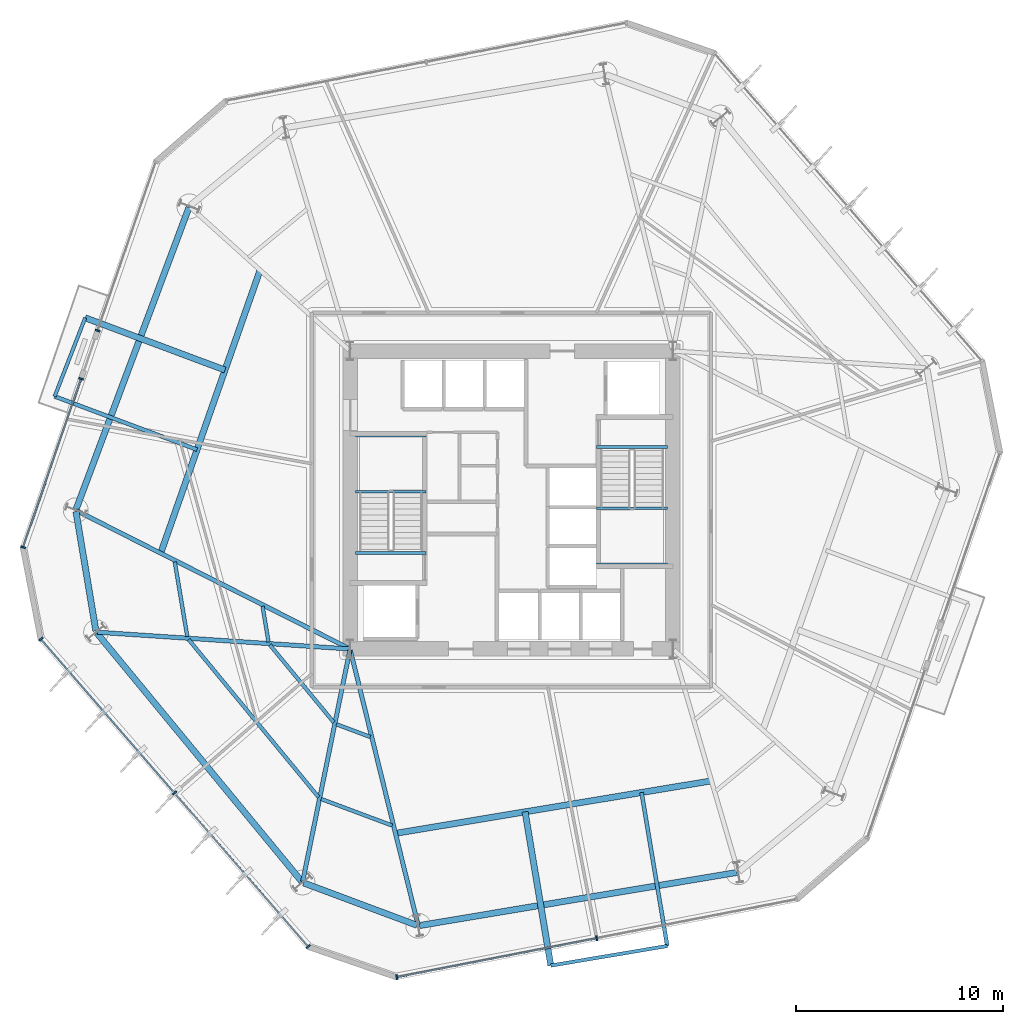
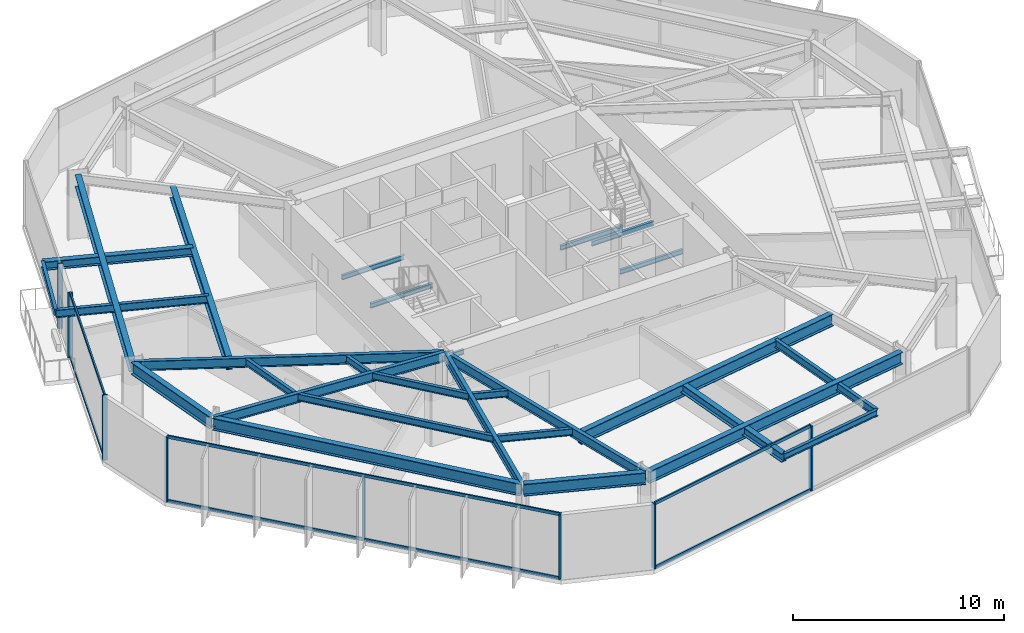
# One storey, part 2 of 10: 29 beams, 16 members, 4 elements without a shape of their own.
"""IFC4 building model written with IfcOpenShell, lengths in metres."""

from ifc_helpers import new_model, si_unit, direction, frame, origin, origin_2d, place, context, subcontext, project, spatial, rectangle, i_section, extrude, material, layer, layer_set, material_profile, profile_set, type_object, element, aggregate, save


model = new_model("IFC4")

# Units and contexts
model_context = context("Model", 3, precision=1e-05, world=origin(), true_north=direction((0.0, 1.0)))
body_context = subcontext(model_context, "Body", "Model", "MODEL_VIEW")
ifc_project = project(units=[si_unit("LENGTHUNIT", "METRE"), si_unit("AREAUNIT", "SQUARE_METRE"), si_unit("VOLUMEUNIT", "CUBIC_METRE"), si_unit("PLANEANGLEUNIT", "RADIAN"), si_unit("MASSUNIT", "GRAM", prefix="KILO")], contexts=[model_context])

# Site, building, storey
site_placement = place(None, origin())
site = spatial("IfcSite", under=ifc_project, at=site_placement, CompositionType="ELEMENT")
building_placement = place(site_placement, origin())
building = spatial("IfcBuilding", under=site, at=building_placement, Name="Kranzbogen Civic Tower", CompositionType="ELEMENT")
storey_placement = place(building_placement, frame((0.0, 0.0, 64.0)))
storey = spatial("IfcBuildingStorey", under=building, at=storey_placement, Name="L15", CompositionType="ELEMENT", Elevation=64.0)

# Beams
ifc_material_1 = material(Name="Steel S355", Category="steel")
ifc_material_profile_1 = material_profile(ifc_material_1, i_section(OverallWidth=0.18994140625, OverallDepth=0.449951171875, WebThickness=0.009521484375, FlangeThickness=0.0146484375, at=origin_2d()), Name="IPE 450")
ifc_profile_set_1 = profile_set([ifc_material_profile_1], Name="Steel S355")
beam_type_1 = type_object("IfcBeamType", Name="Braced Terrace Edge Beam IPE 450", PredefinedType="BEAM", material=ifc_profile_set_1)
beam_1_placement = place(storey_placement, frame((9.804931640625, 27.43310546875, 3.52490234375), z_axis=(-0.936711058775, 0.350103402396, 0.0), x_axis=(-0.350103402396, -0.936711058775, 0.0)))
element("IfcBeam", 1, at=beam_1_placement, inside=storey, type_object=beam_type_1, Name="L16 back-spanned terrace beam L16-TB1-2", PredefinedType="BEAM", context=body_context, shape_type="SweptSolid", body=[
    extrude(i_section(OverallWidth=0.18994140625, OverallDepth=0.449951171875, WebThickness=0.009521484375, FlangeThickness=0.0146484375, at=origin_2d()), origin(), (0.0, 0.0, 1.0), 7.345703125),
])
beam_2_placement = place(storey_placement, frame((31.285888671875, 10.864990234375, 3.4951171875), z_axis=(0.165030622895, -0.986288443361, 0.0), x_axis=(0.986288443361, 0.165030622895, 0.0)))
element("IfcBeam", 2, at=beam_2_placement, inside=storey, type_object=beam_type_1, Name="L16 back-spanned terrace beam L16-ST-2", PredefinedType="BEAM", context=body_context, shape_type="SweptSolid", body=[
    extrude(i_section(OverallWidth=0.18994140625, OverallDepth=0.449951171875, WebThickness=0.009521484375, FlangeThickness=0.0146484375, at=origin_2d()), origin(), (0.0, 0.0, 1.0), 7.52099609375),
])

# Curtain wall, member
ifc_material_2 = material(Name="Pale Anodised Aluminium", Category="aluminium")
ifc_layer = layer(ifc_material_2, 0.219970703125, Name="Pale Anodised Aluminium")
ifc_layer_set = layer_set([ifc_layer], Name="Pale Anodised Aluminium")
curtain_wall_type = type_object("IfcCurtainWallType", Name="Zone 1 Stick Curtain Wall System CW-02", PredefinedType="USERDEFINED", material=ifc_layer_set)
curtain_wall_1_placement = place(storey_placement, origin())
curtain_wall_1 = element("IfcCurtainWall", 3, at=curtain_wall_1_placement, inside=storey, type_object=curtain_wall_type, Name="L15 curtain wall CW-L15-F3-S1", ObjectType="STICK CURTAIN WALL", PredefinedType="USERDEFINED")
ifc_material_profile_2 = material_profile(ifc_material_2, rectangle(XDim=0.080078125, YDim=0.239990234375, at=origin_2d()), Name="ALU-M 80x240")
ifc_profile_set_2 = profile_set([ifc_material_profile_2], Name="Pale Anodised Aluminium")
member_type_1 = type_object("IfcMemberType", Name="Curtain Wall Mullion ALU-M 80x240", PredefinedType="MULLION", material=ifc_profile_set_2)
member_1_placement = place(storey_placement, frame((5.002685546875, 33.186279296875, 0.0), z_axis=(0.0, 0.0, 1.0), x_axis=(-0.325553504006, -0.945523620027, 0.0)))
member_1 = element("IfcMember", 4, at=member_1_placement, type_object=member_type_1, Name="CW-02 mullion 2", PredefinedType="MULLION", context=body_context, shape_type="SweptSolid", body=[
    extrude(rectangle(XDim=0.080078125, YDim=0.239990234375, at=origin_2d()), origin(), (0.0, 0.0, 1.0), 3.760009765625),
])
aggregate(curtain_wall_1, [member_1])

# Curtain wall, members
curtain_wall_2_placement = place(storey_placement, origin())
curtain_wall_2 = element("IfcCurtainWall", 5, at=curtain_wall_2_placement, inside=storey, type_object=curtain_wall_type, Name="L15 curtain wall CW-L15-F3-S2", ObjectType="STICK CURTAIN WALL", PredefinedType="USERDEFINED")
member_2_placement = place(storey_placement, frame((4.2021484375, 30.860595703125, 0.0), z_axis=(0.0, 0.0, 1.0), x_axis=(-0.325621094494, -0.945500345225, 0.0)))
member_2 = element("IfcMember", 6, at=member_2_placement, type_object=member_type_1, Name="CW-02 mullion 1", PredefinedType="MULLION", context=body_context, shape_type="SweptSolid", body=[
    extrude(rectangle(XDim=0.080078125, YDim=0.239990234375, at=origin_2d()), origin(), (0.0, 0.0, 1.0), 3.760009765625),
])
member_3_placement = place(storey_placement, frame((1.397705078125, 22.71728515625, 0.0), z_axis=(0.0, 0.0, 1.0), x_axis=(-0.325621094494, -0.945500345225, 0.0)))
member_3 = element("IfcMember", 7, at=member_3_placement, type_object=member_type_1, Name="CW-02 mullion 2", PredefinedType="MULLION", context=body_context, shape_type="SweptSolid", body=[
    extrude(rectangle(XDim=0.080078125, YDim=0.239990234375, at=origin_2d()), origin(), (0.0, 0.0, 1.0), 3.760009765625),
])

curtain_wall_3_placement = place(storey_placement, origin())
curtain_wall_3 = element("IfcCurtainWall", 8, at=curtain_wall_3_placement, inside=storey, type_object=curtain_wall_type, Name="L15 curtain wall CW-L15-F4", ObjectType="STICK CURTAIN WALL", PredefinedType="USERDEFINED")
member_4_placement = place(storey_placement, frame((2.26171875, 18.275390625, 0.0), z_axis=(0.0, 0.0, 1.0), x_axis=(0.65605582795, -0.754712362833, 0.0)))
member_4 = element("IfcMember", 9, at=member_4_placement, type_object=member_type_1, Name="CW-02 mullion 1", PredefinedType="MULLION", context=body_context, shape_type="SweptSolid", body=[
    extrude(rectangle(XDim=0.080078125, YDim=0.239990234375, at=origin_2d()), origin(), (0.0, 0.0, 1.0), 3.760009765625),
])
member_5_placement = place(storey_placement, frame((8.718994140625, 10.846923828125, 0.0), z_axis=(0.0, 0.0, 1.0), x_axis=(0.65605582795, -0.754712362833, 0.0)))
member_5 = element("IfcMember", 10, at=member_5_placement, type_object=member_type_1, Name="CW-02 mullion 2", PredefinedType="MULLION", context=body_context, shape_type="SweptSolid", body=[
    extrude(rectangle(XDim=0.080078125, YDim=0.239990234375, at=origin_2d()), origin(), (0.0, 0.0, 1.0), 3.760009765625),
])
member_6_placement = place(storey_placement, frame((15.17626953125, 3.418701171875, 0.0), z_axis=(0.0, 0.0, 1.0), x_axis=(0.65605582795, -0.754712362833, 0.0)))
member_6 = element("IfcMember", 11, at=member_6_placement, type_object=member_type_1, Name="CW-02 mullion 3", PredefinedType="MULLION", context=body_context, shape_type="SweptSolid", body=[
    extrude(rectangle(XDim=0.080078125, YDim=0.239990234375, at=origin_2d()), origin(), (0.0, 0.0, 1.0), 3.760009765625),
])

curtain_wall_4_placement = place(storey_placement, origin())
curtain_wall_4 = element("IfcCurtainWall", 12, at=curtain_wall_4_placement, inside=storey, type_object=curtain_wall_type, Name="L15 curtain wall CW-L15-F5", ObjectType="STICK CURTAIN WALL", PredefinedType="USERDEFINED")
member_7_placement = place(storey_placement, frame((19.45556640625, 1.94580078125, 0.0), z_axis=(0.0, 0.0, 1.0), x_axis=(0.98162224226, 0.190834413825, 0.0)))
member_7 = element("IfcMember", 13, at=member_7_placement, type_object=member_type_1, Name="CW-02 mullion 1", PredefinedType="MULLION", context=body_context, shape_type="SweptSolid", body=[
    extrude(rectangle(XDim=0.080078125, YDim=0.239990234375, at=origin_2d()), origin(), (0.0, 0.0, 1.0), 3.760009765625),
])
member_8_placement = place(storey_placement, frame((29.116943359375, 3.823974609375, 0.0), z_axis=(0.0, 0.0, 1.0), x_axis=(0.98162224226, 0.190834413825, 0.0)))
member_8 = element("IfcMember", 14, at=member_8_placement, type_object=member_type_1, Name="CW-02 mullion 2", PredefinedType="MULLION", context=body_context, shape_type="SweptSolid", body=[
    extrude(rectangle(XDim=0.080078125, YDim=0.239990234375, at=origin_2d()), origin(), (0.0, 0.0, 1.0), 3.760009765625),
])

# Member
ifc_material_profile_3 = material_profile(ifc_material_2, rectangle(XDim=0.080078125, YDim=0.179931640625, at=origin_2d()), Name="ALU-T 80x180")
ifc_profile_set_3 = profile_set([ifc_material_profile_3], Name="Pale Anodised Aluminium")
member_type_2 = type_object("IfcMemberType", Name="Curtain Wall Transom ALU-T 80x180", PredefinedType="USERDEFINED", material=ifc_profile_set_3)
member_9_placement = place(storey_placement, frame((4.1923828125, 30.832275390625, 0.030029296875), z_axis=(-0.325623808255, -0.945499410628, 0.0), x_axis=(0.945499410628, -0.325623808255, 0.0)))
member_9 = element("IfcMember", 15, at=member_9_placement, type_object=member_type_2, Name="CW-02 transom 1.1", ObjectType="TRANSOM", PredefinedType="USERDEFINED", context=body_context, shape_type="SweptSolid", body=[
    extrude(rectangle(XDim=0.080078125, YDim=0.179931640625, at=origin_2d()), origin(), (0.0, 0.0, 1.0), 8.552490234375),
])

member_10_placement = place(storey_placement, frame((4.1923828125, 30.832275390625, 3.72998046875), z_axis=(-0.325623808255, -0.945499410628, 0.0), x_axis=(0.945499410628, -0.325623808255, 0.0)))
member_10 = element("IfcMember", 16, at=member_10_placement, type_object=member_type_2, Name="CW-02 transom 1.2", ObjectType="TRANSOM", PredefinedType="USERDEFINED", context=body_context, shape_type="SweptSolid", body=[
    extrude(rectangle(XDim=0.080078125, YDim=0.179931640625, at=origin_2d()), origin(), (0.0, 0.0, 1.0), 8.552490234375),
])

aggregate(curtain_wall_2, [member_2, member_3, member_9, member_10])

member_11_placement = place(storey_placement, frame((2.28125, 18.252685546875, 0.030029296875), z_axis=(0.656057604111, -0.754710818849, 0.0), x_axis=(0.754710818849, 0.656057604111, 0.0)))
member_11 = element("IfcMember", 17, at=member_11_placement, type_object=member_type_2, Name="CW-02 transom 1.1", ObjectType="TRANSOM", PredefinedType="USERDEFINED", context=body_context, shape_type="SweptSolid", body=[
    extrude(rectangle(XDim=0.080078125, YDim=0.179931640625, at=origin_2d()), origin(), (0.0, 0.0, 1.0), 9.78271484375),
])

member_12_placement = place(storey_placement, frame((2.28125, 18.252685546875, 3.72998046875), z_axis=(0.656057604111, -0.754710818849, 0.0), x_axis=(0.754710818849, 0.656057604111, 0.0)))
member_12 = element("IfcMember", 18, at=member_12_placement, type_object=member_type_2, Name="CW-02 transom 1.2", ObjectType="TRANSOM", PredefinedType="USERDEFINED", context=body_context, shape_type="SweptSolid", body=[
    extrude(rectangle(XDim=0.080078125, YDim=0.179931640625, at=origin_2d()), origin(), (0.0, 0.0, 1.0), 9.78271484375),
])

member_13_placement = place(storey_placement, frame((8.73876953125, 10.824462890625, 0.030029296875), z_axis=(0.656045247428, -0.754721560131, 0.0), x_axis=(0.754721560131, 0.656045247428, 0.0)))
member_13 = element("IfcMember", 19, at=member_13_placement, type_object=member_type_2, Name="CW-02 transom 2.1", ObjectType="TRANSOM", PredefinedType="USERDEFINED", context=body_context, shape_type="SweptSolid", body=[
    extrude(rectangle(XDim=0.080078125, YDim=0.179931640625, at=origin_2d()), origin(), (0.0, 0.0, 1.0), 9.78271484375),
])

member_14_placement = place(storey_placement, frame((8.73876953125, 10.824462890625, 3.72998046875), z_axis=(0.656045247428, -0.754721560131, 0.0), x_axis=(0.754721560131, 0.656045247428, 0.0)))
member_14 = element("IfcMember", 20, at=member_14_placement, type_object=member_type_2, Name="CW-02 transom 2.2", ObjectType="TRANSOM", PredefinedType="USERDEFINED", context=body_context, shape_type="SweptSolid", body=[
    extrude(rectangle(XDim=0.080078125, YDim=0.179931640625, at=origin_2d()), origin(), (0.0, 0.0, 1.0), 9.78271484375),
])

aggregate(curtain_wall_3, [member_4, member_5, member_6, member_11, member_12, member_13, member_14])

member_15_placement = place(storey_placement, frame((19.48486328125, 1.951416015625, 0.030029296875), z_axis=(0.981620454876, 0.190843607618, 0.0), x_axis=(-0.190843607618, 0.981620454876, 0.0)))
member_15 = element("IfcMember", 21, at=member_15_placement, type_object=member_type_2, Name="CW-02 transom 1.1", ObjectType="TRANSOM", PredefinedType="USERDEFINED", context=body_context, shape_type="SweptSolid", body=[
    extrude(rectangle(XDim=0.080078125, YDim=0.179931640625, at=origin_2d()), origin(), (0.0, 0.0, 1.0), 9.782470703125),
])

member_16_placement = place(storey_placement, frame((19.48486328125, 1.951416015625, 3.72998046875), z_axis=(0.981620454876, 0.190843607618, 0.0), x_axis=(-0.190843607618, 0.981620454876, 0.0)))
member_16 = element("IfcMember", 22, at=member_16_placement, type_object=member_type_2, Name="CW-02 transom 1.2", ObjectType="TRANSOM", PredefinedType="USERDEFINED", context=body_context, shape_type="SweptSolid", body=[
    extrude(rectangle(XDim=0.080078125, YDim=0.179931640625, at=origin_2d()), origin(), (0.0, 0.0, 1.0), 9.782470703125),
])

aggregate(curtain_wall_4, [member_7, member_8, member_15, member_16])

# Beams
ifc_material_profile_4 = material_profile(ifc_material_1, i_section(OverallWidth=0.300048828125, OverallDepth=0.5, WebThickness=0.014404296875, FlangeThickness=0.028076171875, at=origin_2d()), Name="HEB 500")
ifc_profile_set_4 = profile_set([ifc_material_profile_4], Name="Steel S355")
beam_type_2 = type_object("IfcBeamType", Name="Perimeter Tube Spandrel Beam HEB 500", PredefinedType="SPANDREL", material=ifc_profile_set_4)
beam_3_placement = place(storey_placement, frame((11.155029296875, 31.279052734375, 3.5), z_axis=(-0.93668906626, 0.350162238325, 0.0), x_axis=(-0.350162238325, -0.93668906626, 0.0)))
element("IfcBeam", 23, at=beam_3_placement, inside=storey, type_object=beam_type_2, Name="L16 back-spanned terrace beam L16-TB1-1", PredefinedType="SPANDREL", context=body_context, shape_type="SweptSolid", body=[
    extrude(i_section(OverallWidth=0.300048828125, OverallDepth=0.5, WebThickness=0.014404296875, FlangeThickness=0.028076171875, at=origin_2d()), origin(), (0.0, 0.0, 1.0), 7.210693359375),
])
beam_4_placement = place(storey_placement, frame((25.656982421875, 9.929931640625, 3.469970703125), z_axis=(0.165013923872, -0.986291237378, 0.0), x_axis=(0.986291237378, 0.165013923872, 0.0)))
element("IfcBeam", 24, at=beam_4_placement, inside=storey, type_object=beam_type_2, Name="L16 back-spanned terrace beam L16-ST-1", PredefinedType="SPANDREL", context=body_context, shape_type="SweptSolid", body=[
    extrude(i_section(OverallWidth=0.300048828125, OverallDepth=0.5, WebThickness=0.014404296875, FlangeThickness=0.028076171875, at=origin_2d()), origin(), (0.0, 0.0, 1.0), 7.5322265625),
])
ifc_material_profile_5 = material_profile(ifc_material_1, i_section(OverallWidth=0.300048828125, OverallDepth=0.699951171875, WebThickness=0.01708984375, FlangeThickness=0.031982421875, at=origin_2d()), Name="HEB 700")
ifc_profile_set_5 = profile_set([ifc_material_profile_5], Name="Steel S355")
beam_type_3 = type_object("IfcBeamType", Name="Perimeter Tube Spandrel Beam HEB 700", PredefinedType="SPANDREL", material=ifc_profile_set_5)
beam_5_placement = place(storey_placement, frame((3.952880859375, 24.445068359375, 3.409912109375), z_axis=(0.164913116942, -0.986308097838, 0.0), x_axis=(0.986308097838, 0.164913116942, 0.0)))
element("IfcBeam", 25, at=beam_5_placement, inside=storey, type_object=beam_type_3, Name="L15 perimeter spandrel beam 01", PredefinedType="SPANDREL", context=body_context, shape_type="SweptSolid", body=[
    extrude(i_section(OverallWidth=0.300048828125, OverallDepth=0.699951171875, WebThickness=0.01708984375, FlangeThickness=0.031982421875, at=origin_2d()), origin(), (0.0, 0.0, 1.0), 5.85205078125),
])
beam_6_placement = place(storey_placement, frame((4.966064453125, 18.568115234375, 3.409912109375), z_axis=(0.636074572579, -0.771627590304, 0.0), x_axis=(0.771627590304, 0.636074572579, 0.0)))
element("IfcBeam", 26, at=beam_6_placement, inside=storey, type_object=beam_type_3, Name="L15 perimeter spandrel beam 02", PredefinedType="SPANDREL", context=body_context, shape_type="SweptSolid", body=[
    extrude(i_section(OverallWidth=0.300048828125, OverallDepth=0.699951171875, WebThickness=0.01708984375, FlangeThickness=0.031982421875, at=origin_2d()), origin(), (0.0, 0.0, 1.0), 15.5595703125),
])
beam_7_placement = place(storey_placement, frame((14.95703125, 6.4951171875, 3.409912109375), z_axis=(0.936647646965, -0.350273015568, 0.0), x_axis=(0.350273015568, 0.936647646965, 0.0)))
element("IfcBeam", 27, at=beam_7_placement, inside=storey, type_object=beam_type_3, Name="L15 perimeter spandrel beam 03", PredefinedType="SPANDREL", context=body_context, shape_type="SweptSolid", body=[
    extrude(i_section(OverallWidth=0.300048828125, OverallDepth=0.699951171875, WebThickness=0.01708984375, FlangeThickness=0.031982421875, at=origin_2d()), origin(), (0.0, 0.0, 1.0), 5.852783203125),
])
beam_8_placement = place(storey_placement, frame((20.553955078125, 4.43408203125, 3.409912109375), z_axis=(0.986285563243, 0.165047834697, 0.0), x_axis=(-0.165047834697, 0.986285563243, 0.0)))
element("IfcBeam", 28, at=beam_8_placement, inside=storey, type_object=beam_type_3, Name="L15 perimeter spandrel beam 04", PredefinedType="SPANDREL", context=body_context, shape_type="SweptSolid", body=[
    extrude(i_section(OverallWidth=0.300048828125, OverallDepth=0.699951171875, WebThickness=0.01708984375, FlangeThickness=0.031982421875, at=origin_2d()), origin(), (0.0, 0.0, 1.0), 15.558349609375),
])
beam_9_placement = place(storey_placement, frame((9.412109375, 39.133056640625, 3.409912109375), z_axis=(-0.350172267932, -0.936685316833, 0.0), x_axis=(0.936685316833, -0.350172267932, 0.0)))
element("IfcBeam", 29, at=beam_9_placement, inside=storey, type_object=beam_type_3, Name="L15 perimeter spandrel beam 12", PredefinedType="SPANDREL", context=body_context, shape_type="SweptSolid", body=[
    extrude(i_section(OverallWidth=0.300048828125, OverallDepth=0.699951171875, WebThickness=0.01708984375, FlangeThickness=0.031982421875, at=origin_2d()), origin(), (0.0, 0.0, 1.0), 15.55810546875),
])
beam_10_placement = place(storey_placement, frame((12.85205078125, 36.112060546875, 3.39990234375), z_axis=(-0.331242591506, -0.943545624531, 0.0), x_axis=(0.943545624531, -0.331242591506, 0.0)))
element("IfcBeam", 30, at=beam_10_placement, inside=storey, type_object=beam_type_3, Name="L16 balcony back-span header girder L16-TB1", PredefinedType="SPANDREL", context=body_context, shape_type="SweptSolid", body=[
    extrude(i_section(OverallWidth=0.300048828125, OverallDepth=0.699951171875, WebThickness=0.01708984375, FlangeThickness=0.031982421875, at=origin_2d()), origin(), (0.0, 0.0, 1.0), 14.5029296875),
])
beam_11_placement = place(storey_placement, frame((19.39501953125, 8.889892578125, 3.3701171875), z_axis=(0.9864781902, 0.163892587571, 0.0), x_axis=(-0.163892587571, 0.9864781902, 0.0)))
element("IfcBeam", 31, at=beam_11_placement, inside=storey, type_object=beam_type_3, Name="L16 balcony back-span header girder L16-ST", PredefinedType="SPANDREL", context=body_context, shape_type="SweptSolid", body=[
    extrude(i_section(OverallWidth=0.300048828125, OverallDepth=0.699951171875, WebThickness=0.01708984375, FlangeThickness=0.031982421875, at=origin_2d()), origin(), (0.0, 0.0, 1.0), 15.480224609375),
])
ifc_material_profile_6 = material_profile(ifc_material_1, i_section(OverallWidth=0.2099609375, OverallDepth=0.550048828125, WebThickness=0.010986328125, FlangeThickness=0.01708984375, at=origin_2d()), Name="IPE 550")
ifc_profile_set_6 = profile_set([ifc_material_profile_6], Name="Steel S355")
beam_type_4 = type_object("IfcBeamType", Name="Radial Tower Floor Girder IPE 550", PredefinedType="BEAM", material=ifc_profile_set_6)
beam_12_placement = place(storey_placement, frame((3.9970703125, 24.47705078125, 3.485107421875), z_axis=(0.892363219254, -0.451317942168, 0.0), x_axis=(0.451317942168, 0.892363219254, 0.0)))
element("IfcBeam", 32, at=beam_12_placement, inside=storey, type_object=beam_type_4, Name="L15 radial floor girder 01", PredefinedType="BEAM", context=body_context, shape_type="SweptSolid", body=[
    extrude(i_section(OverallWidth=0.2099609375, OverallDepth=0.550048828125, WebThickness=0.010986328125, FlangeThickness=0.01708984375, at=origin_2d()), origin(), (0.0, 0.0, 1.0), 14.73486328125),
])
beam_13_placement = place(storey_placement, frame((4.988037109375, 18.610107421875, 3.485107421875), z_axis=(0.99780674843, -0.066194356156, 0.0), x_axis=(0.066194356156, 0.99780674843, 0.0)))
element("IfcBeam", 33, at=beam_13_placement, inside=storey, type_object=beam_type_4, Name="L15 radial floor girder 02", PredefinedType="BEAM", context=body_context, shape_type="SweptSolid", body=[
    extrude(i_section(OverallWidth=0.2099609375, OverallDepth=0.550048828125, WebThickness=0.010986328125, FlangeThickness=0.01708984375, at=origin_2d()), origin(), (0.0, 0.0, 1.0), 12.178466796875),
])
beam_14_placement = place(storey_placement, frame((14.9130859375, 6.574951171875, 3.485107421875), z_axis=(0.199633433694, 0.979870650725, 0.0), x_axis=(-0.979870650725, 0.199633433694, 0.0)))
element("IfcBeam", 34, at=beam_14_placement, inside=storey, type_object=beam_type_4, Name="L15 radial floor girder 03", PredefinedType="BEAM", context=body_context, shape_type="SweptSolid", body=[
    extrude(i_section(OverallWidth=0.2099609375, OverallDepth=0.550048828125, WebThickness=0.010986328125, FlangeThickness=0.01708984375, at=origin_2d()), origin(), (0.0, 0.0, 1.0), 11.3955078125),
])
beam_15_placement = place(storey_placement, frame((20.48095703125, 4.48193359375, 3.485107421875), z_axis=(-0.239215348776, 0.970966537482, 0.0), x_axis=(-0.970966537482, -0.239215348776, 0.0)))
element("IfcBeam", 35, at=beam_15_placement, inside=storey, type_object=beam_type_4, Name="L15 radial floor girder 04", PredefinedType="BEAM", context=body_context, shape_type="SweptSolid", body=[
    extrude(i_section(OverallWidth=0.2099609375, OverallDepth=0.550048828125, WebThickness=0.010986328125, FlangeThickness=0.01708984375, at=origin_2d()), origin(), (0.0, 0.0, 1.0), 13.656494140625),
])
ifc_material_profile_7 = material_profile(ifc_material_1, i_section(OverallWidth=0.169921875, OverallDepth=0.360107421875, WebThickness=0.008056640625, FlangeThickness=0.0126953125, at=origin_2d()), Name="IPE 360")
ifc_profile_set_7 = profile_set([ifc_material_profile_7], Name="Steel S355")
beam_type_5 = type_object("IfcBeamType", Name="Secondary Composite Floor Joist IPE 360", PredefinedType="JOIST", material=ifc_profile_set_7)
beam_16_placement = place(storey_placement, frame((4.40087890625, 33.803955078125, 3.570068359375), z_axis=(-0.362316186667, -0.932055245615, 0.0), x_axis=(0.932055245615, -0.362316186667, 0.0)))
element("IfcBeam", 36, at=beam_16_placement, inside=storey, type_object=beam_type_5, Name="L16 terrace outer edge trimmer L16-TB1", PredefinedType="JOIST", context=body_context, shape_type="SweptSolid", body=[
    extrude(i_section(OverallWidth=0.169921875, OverallDepth=0.360107421875, WebThickness=0.008056640625, FlangeThickness=0.0126953125, at=origin_2d()), origin(), (0.0, 0.0, 1.0), 4.075927734375),
])
beam_17_placement = place(storey_placement, frame((26.89990234375, 2.5009765625, 3.5400390625), z_axis=(0.986160509249, 0.16579339552, 0.0), x_axis=(-0.16579339552, 0.986160509249, 0.0)))
element("IfcBeam", 37, at=beam_17_placement, inside=storey, type_object=beam_type_5, Name="L16 terrace outer edge trimmer L16-ST", PredefinedType="JOIST", context=body_context, shape_type="SweptSolid", body=[
    extrude(i_section(OverallWidth=0.169921875, OverallDepth=0.360107421875, WebThickness=0.008056640625, FlangeThickness=0.0126953125, at=origin_2d()), origin(), (0.0, 0.0, 1.0), 5.7060546875),
])
ifc_material_profile_8 = material_profile(ifc_material_1, i_section(OverallWidth=0.179931640625, OverallDepth=0.39990234375, WebThickness=0.008544921875, FlangeThickness=0.013427734375, at=origin_2d()), Name="IPE 400")
ifc_profile_set_8 = profile_set([ifc_material_profile_8], Name="Steel S355")
beam_type_6 = type_object("IfcBeamType", Name="Secondary Composite Floor Joist IPE 400", PredefinedType="JOIST", material=ifc_profile_set_8)
beam_18_placement = place(storey_placement, frame((8.72900390625, 22.011962890625, 3.56005859375), z_axis=(0.164928678379, -0.986305495802, 0.0), x_axis=(0.986305495802, 0.164928678379, 0.0)))
element("IfcBeam", 38, at=beam_18_placement, inside=storey, type_object=beam_type_6, Name="L15 secondary floor joist 1.01", PredefinedType="JOIST", context=body_context, shape_type="SweptSolid", body=[
    extrude(i_section(OverallWidth=0.179931640625, OverallDepth=0.39990234375, WebThickness=0.008544921875, FlangeThickness=0.013427734375, at=origin_2d()), origin(), (0.0, 0.0, 1.0), 3.662109375),
])
beam_19_placement = place(storey_placement, frame((12.970947265625, 19.865966796875, 3.56005859375), z_axis=(0.165077224104, -0.986280644686, 0.0), x_axis=(0.986280644686, 0.165077224104, 0.0)))
element("IfcBeam", 39, at=beam_19_placement, inside=storey, type_object=beam_type_6, Name="L15 secondary floor joist 2.01", PredefinedType="JOIST", context=body_context, shape_type="SweptSolid", body=[
    extrude(i_section(OverallWidth=0.179931640625, OverallDepth=0.39990234375, WebThickness=0.008544921875, FlangeThickness=0.013427734375, at=origin_2d()), origin(), (0.0, 0.0, 1.0), 1.7509765625),
])
beam_20_placement = place(storey_placement, frame((9.39697265625, 18.259033203125, 3.56005859375), z_axis=(0.636094561772, -0.771611112209, 0.0), x_axis=(0.771611112209, 0.636094561772, 0.0)))
element("IfcBeam", 40, at=beam_20_placement, inside=storey, type_object=beam_type_6, Name="L15 secondary floor joist 1.02", PredefinedType="JOIST", context=body_context, shape_type="SweptSolid", body=[
    extrude(i_section(OverallWidth=0.179931640625, OverallDepth=0.39990234375, WebThickness=0.008544921875, FlangeThickness=0.013427734375, at=origin_2d()), origin(), (0.0, 0.0, 1.0), 9.874267578125),
])
beam_21_placement = place(storey_placement, frame((13.323974609375, 17.9990234375, 3.56005859375), z_axis=(0.636012010413, -0.771679157818, 0.0), x_axis=(0.771679157818, 0.636012010413, 0.0)))
element("IfcBeam", 41, at=beam_21_placement, inside=storey, type_object=beam_type_6, Name="L15 secondary floor joist 2.02", PredefinedType="JOIST", context=body_context, shape_type="SweptSolid", body=[
    extrude(i_section(OverallWidth=0.179931640625, OverallDepth=0.39990234375, WebThickness=0.008544921875, FlangeThickness=0.013427734375, at=origin_2d()), origin(), (0.0, 0.0, 1.0), 4.85693359375),
])
beam_22_placement = place(storey_placement, frame((15.803955078125, 10.550048828125, 3.56005859375), z_axis=(0.936622008794, -0.350341565678, 0.0), x_axis=(0.350341565678, 0.936622008794, 0.0)))
element("IfcBeam", 42, at=beam_22_placement, inside=storey, type_object=beam_type_6, Name="L15 secondary floor joist 1.03", PredefinedType="JOIST", context=body_context, shape_type="SweptSolid", body=[
    extrude(i_section(OverallWidth=0.179931640625, OverallDepth=0.39990234375, WebThickness=0.008544921875, FlangeThickness=0.013427734375, at=origin_2d()), origin(), (0.0, 0.0, 1.0), 3.662109375),
])
beam_23_placement = place(storey_placement, frame((16.5390625, 14.160888671875, 3.56005859375), z_axis=(0.936735458815, -0.350038112495, 0.0), x_axis=(0.350038112495, 0.936735458815, 0.0)))
element("IfcBeam", 43, at=beam_23_placement, inside=storey, type_object=beam_type_6, Name="L15 secondary floor joist 2.03", PredefinedType="JOIST", context=body_context, shape_type="SweptSolid", body=[
    extrude(i_section(OverallWidth=0.179931640625, OverallDepth=0.39990234375, WebThickness=0.008544921875, FlangeThickness=0.013427734375, at=origin_2d()), origin(), (0.0, 0.0, 1.0), 1.750732421875),
])
ifc_material_profile_9 = material_profile(ifc_material_1, i_section(OverallWidth=0.135009765625, OverallDepth=0.27001953125, WebThickness=0.006591796875, FlangeThickness=0.01025390625, at=origin_2d()), Name="IPE 270")
ifc_profile_set_9 = profile_set([ifc_material_profile_9], Name="Steel S355")
beam_type_7 = type_object("IfcBeamType", Name="Stair Landing Support Beam IPE 270", PredefinedType="JOIST", material=ifc_profile_set_9)
for number, where, z_axis, x_axis, name in (
    (44, (20.8798828125, 22.43994140625, -0.375), (-1.0, 0.0, 0.0), (0.0, -1.0, 0.0), "L15 ST-T1 stair floor header beam"),
    (45, (20.8798828125, 25.39990234375, 1.6650390625), (-1.0, 0.0, 0.0), (0.0, -1.0, 0.0), "L15 ST-T1 landing support beam 1.1"),
    (46, (20.8798828125, 28.10009765625, 1.6650390625), (-1.0, 0.0, 0.0), (0.0, -1.0, 0.0), "L15 ST-T1 landing support beam 1.2"),
    (47, (29.1201171875, 27.56005859375, -0.375), (1.0, 0.0, 0.0), (0.0, 1.0, 0.0), "L15 ST-T2 stair floor header beam"),
    (48, (29.1201171875, 24.60009765625, 1.6650390625), (1.0, 0.0, 0.0), (0.0, 1.0, 0.0), "L15 ST-T2 landing support beam 1.1"),
    (49, (29.1201171875, 21.89990234375, 1.6650390625), (1.0, 0.0, 0.0), (0.0, 1.0, 0.0), "L15 ST-T2 landing support beam 1.2"),
):
    element("IfcBeam", number, at=place(storey_placement, frame(where, z_axis=z_axis, x_axis=x_axis)), inside=storey, type_object=beam_type_7, Name=name, PredefinedType="JOIST", context=body_context, shape_type="SweptSolid", body=[
        extrude(i_section(OverallWidth=0.135009765625, OverallDepth=0.27001953125, WebThickness=0.006591796875, FlangeThickness=0.01025390625, at=origin_2d()), origin(), (0.0, 0.0, 1.0), 3.409912109375),
    ])

save(model, "model.ifc")
